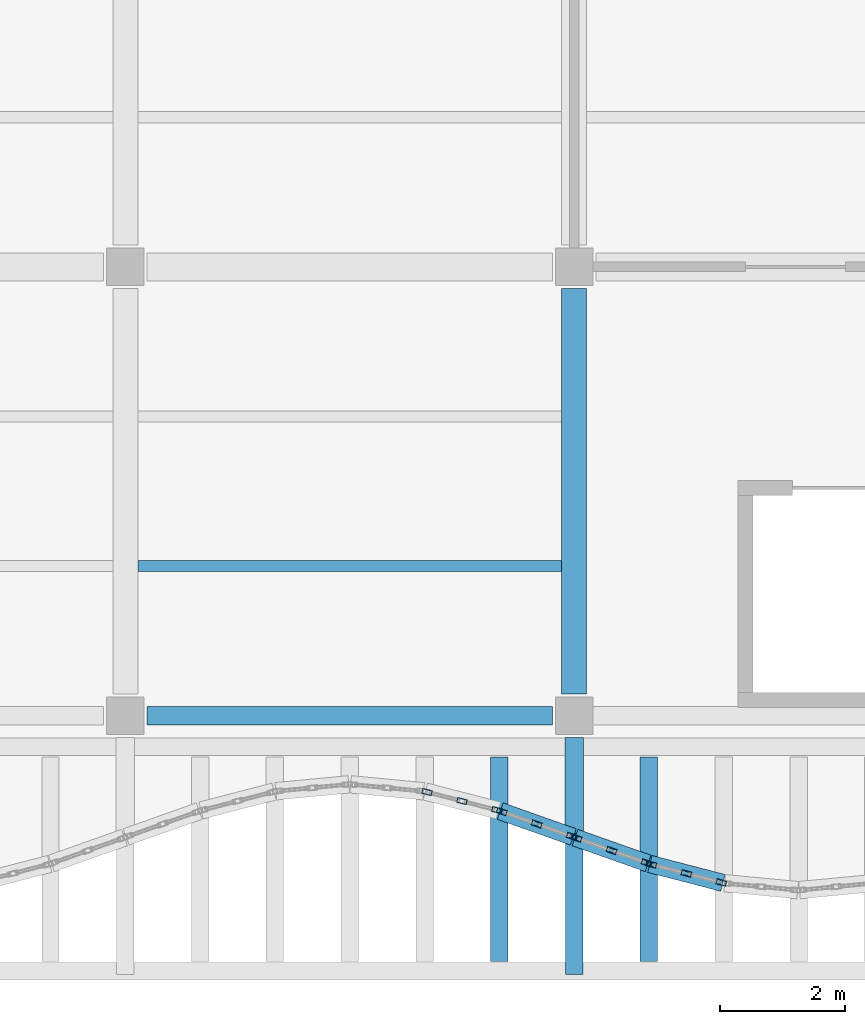
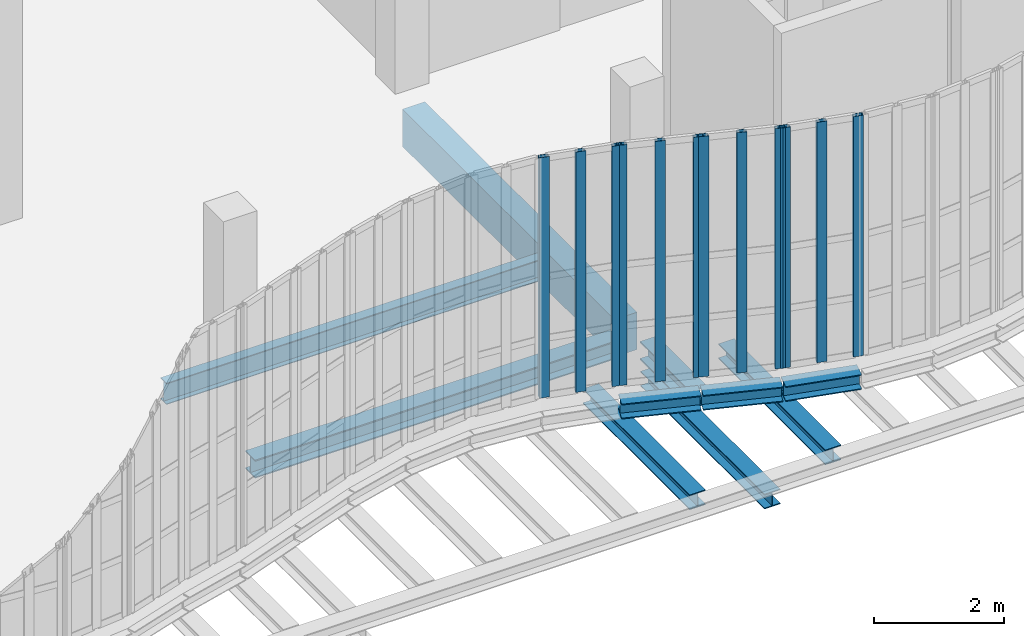
# One storey, part 30 of 105: 12 members, 10 beams, 4 elements without a shape of their own.
"""IFC4 building model written with IfcOpenShell, lengths in metres."""

from ifc_helpers import new_model, si_unit, direction, frame, origin, origin_2d, place, context, subcontext, project, spatial, rectangle, hollow_rectangle, i_section, extrude, material, layer, layer_set, material_profile, profile_set, type_object, element, aggregate, save


model = new_model("IFC4")

# Units and contexts
model_context = context("Model", 3, precision=1e-05, world=origin(), true_north=direction((0.0, 1.0)))
body_context = subcontext(model_context, "Body", "Model", "MODEL_VIEW")
ifc_project = project(units=[si_unit("LENGTHUNIT", "METRE"), si_unit("AREAUNIT", "SQUARE_METRE"), si_unit("VOLUMEUNIT", "CUBIC_METRE"), si_unit("PLANEANGLEUNIT", "RADIAN"), si_unit("MASSUNIT", "GRAM", prefix="KILO"), si_unit("THERMODYNAMICTEMPERATUREUNIT", "KELVIN"), si_unit("POWERUNIT", "WATT")], contexts=[model_context])

# Site, building, storey
site_placement = place(None, origin())
site = spatial("IfcSite", under=ifc_project, at=site_placement, CompositionType="ELEMENT")
building_placement = place(site_placement, origin())
building = spatial("IfcBuilding", under=site, at=building_placement, Name="Kaldorven Railside Theatre", CompositionType="ELEMENT")
storey_placement = place(building_placement, frame((0.0, 0.0, 9.89990234375)))
storey = spatial("IfcBuildingStorey", under=building, at=storey_placement, Name="L02", CompositionType="ELEMENT", Elevation=9.89990234375)

# Beams
ifc_material_1 = material(Name="Steel S355", Category="steel")
ifc_material_profile_1 = material_profile(ifc_material_1, i_section(OverallWidth=0.280029296875, OverallDepth=0.280029296875, WebThickness=0.010498046875, FlangeThickness=0.01806640625, at=origin_2d()), Name="HEB 280")
ifc_profile_set_1 = profile_set([ifc_material_profile_1], Name="Steel S355")
beam_type_1 = type_object("IfcBeamType", Name="BM-HEB280", PredefinedType="SPANDREL", material=ifc_profile_set_1)
beam_1_placement = place(storey_placement, frame((101.60009765625, 15.050048828125, -0.97998046875), z_axis=(0.0, 1.0, 0.0), x_axis=(-1.0, 0.0, 0.0)))
element("IfcBeam", 1, at=beam_1_placement, inside=storey, type_object=beam_type_1, Name="L02 Sinusoidal Lower Cantilever Girder FOB-K022", PredefinedType="SPANDREL", context=body_context, shape_type="SweptSolid", body=[
    extrude(i_section(OverallWidth=0.280029296875, OverallDepth=0.280029296875, WebThickness=0.010498046875, FlangeThickness=0.01806640625, at=origin_2d()), origin(), (0.0, 0.0, 1.0), 3.800048828125),
])
beam_2_placement = place(storey_placement, frame((100.4140625, 17.669921875, -0.419921875), z_axis=(0.942627225161, -0.333847142245, 0.0), x_axis=(0.333847142245, 0.942627225161, 0.0)))
element("IfcBeam", 2, at=beam_2_placement, inside=storey, type_object=beam_type_1, Name="L02 Sinusoidal Flute Edge Spandrel FSB-126", PredefinedType="SPANDREL", context=body_context, shape_type="SweptSolid", body=[
    extrude(i_section(OverallWidth=0.280029296875, OverallDepth=0.280029296875, WebThickness=0.010498046875, FlangeThickness=0.01806640625, at=origin_2d()), origin(), (0.0, 0.0, 1.0), 1.2431640625),
])
beam_3_placement = place(storey_placement, frame((100.39990234375, 15.260009765625, -0.699951171875), z_axis=(0.0, 1.0, 0.0), x_axis=(-1.0, 0.0, 0.0)))
element("IfcBeam", 3, at=beam_3_placement, inside=storey, type_object=beam_type_1, Name="L02 Sinusoidal Diaphragm Rib Outrigger FOB-M126", PredefinedType="SPANDREL", context=body_context, shape_type="SweptSolid", body=[
    extrude(i_section(OverallWidth=0.280029296875, OverallDepth=0.280029296875, WebThickness=0.010498046875, FlangeThickness=0.01806640625, at=origin_2d()), origin(), (0.0, 0.0, 1.0), 3.280029296875),
])
beam_4_placement = place(storey_placement, frame((101.614013671875, 17.2451171875, -0.419921875), z_axis=(0.942627225161, -0.333847142245, 0.0), x_axis=(0.333847142245, 0.942627225161, 0.0)))
element("IfcBeam", 4, at=beam_4_placement, inside=storey, type_object=beam_type_1, Name="L02 Sinusoidal Flute Edge Spandrel FSB-127", PredefinedType="SPANDREL", context=body_context, shape_type="SweptSolid", body=[
    extrude(i_section(OverallWidth=0.280029296875, OverallDepth=0.280029296875, WebThickness=0.010498046875, FlangeThickness=0.01806640625, at=origin_2d()), origin(), (0.0, 0.0, 1.0), 1.2431640625),
])
beam_5_placement = place(storey_placement, frame((102.814453125, 16.8212890625, -0.419921875), z_axis=(0.967980555895, -0.25102518481, 0.0), x_axis=(0.25102518481, 0.967980555895, 0.0)))
element("IfcBeam", 5, at=beam_5_placement, inside=storey, type_object=beam_type_1, Name="L02 Sinusoidal Flute Edge Spandrel FSB-128", PredefinedType="SPANDREL", context=body_context, shape_type="SweptSolid", body=[
    extrude(i_section(OverallWidth=0.280029296875, OverallDepth=0.280029296875, WebThickness=0.010498046875, FlangeThickness=0.01806640625, at=origin_2d()), origin(), (0.0, 0.0, 1.0), 1.2099609375),
])
beam_6_placement = place(storey_placement, frame((102.800048828125, 15.260009765625, -0.699951171875), z_axis=(0.0, 1.0, 0.0), x_axis=(-1.0, 0.0, 0.0)))
element("IfcBeam", 6, at=beam_6_placement, inside=storey, type_object=beam_type_1, Name="L02 Sinusoidal Diaphragm Rib Outrigger FOB-M128", PredefinedType="SPANDREL", context=body_context, shape_type="SweptSolid", body=[
    extrude(i_section(OverallWidth=0.280029296875, OverallDepth=0.280029296875, WebThickness=0.010498046875, FlangeThickness=0.01806640625, at=origin_2d()), origin(), (0.0, 0.0, 1.0), 3.280029296875),
])
ifc_material_profile_2 = material_profile(ifc_material_1, i_section(OverallWidth=0.300048828125, OverallDepth=0.340087890625, WebThickness=0.011962890625, FlangeThickness=0.021484375, at=origin_2d()), Name="HEB 340")
ifc_profile_set_2 = profile_set([ifc_material_profile_2], Name="Steel S355")
beam_type_2 = type_object("IfcBeamType", Name="BM-HEB340", PredefinedType="SPANDREL", material=ifc_profile_set_2)
beam_7_placement = place(storey_placement, frame((94.75, 19.199951171875, -0.449951171875), z_axis=(1.0, 0.0, 0.0), x_axis=(0.0, 1.0, 0.0)))
element("IfcBeam", 7, at=beam_7_placement, inside=storey, type_object=beam_type_2, Name="L02 Girder BGX-L02-094-019", PredefinedType="SPANDREL", context=body_context, shape_type="SweptSolid", body=[
    extrude(i_section(OverallWidth=0.300048828125, OverallDepth=0.340087890625, WebThickness=0.011962890625, FlangeThickness=0.021484375, at=origin_2d()), origin(), (0.0, 0.0, 1.0), 6.5),
])
beam_8_placement = place(storey_placement, frame((101.60009765625, 17.31005859375, -0.449951171875), z_axis=(0.0, 1.0, 0.0), x_axis=(-1.0, 0.0, 0.0)))
element("IfcBeam", 8, at=beam_8_placement, inside=storey, type_object=beam_type_2, Name="L02 Sinusoidal Veil Outrigger FOB-2101", PredefinedType="SPANDREL", context=body_context, shape_type="SweptSolid", body=[
    extrude(i_section(OverallWidth=0.300048828125, OverallDepth=0.340087890625, WebThickness=0.011962890625, FlangeThickness=0.021484375, at=origin_2d()), origin(), (0.0, 0.0, 1.0), 1.5400390625),
])
ifc_material_profile_3 = material_profile(ifc_material_1, i_section(OverallWidth=0.179931640625, OverallDepth=0.39990234375, WebThickness=0.008544921875, FlangeThickness=0.013427734375, at=origin_2d()), Name="IPE 400")
ifc_profile_set_3 = profile_set([ifc_material_profile_3], Name="Steel S355")
beam_type_3 = type_object("IfcBeamType", Name="BM-IPE400", PredefinedType="JOIST", material=ifc_profile_set_3)
beam_9_placement = place(storey_placement, frame((94.60009765625, 21.60009765625, -0.47998046875), z_axis=(1.0, 0.0, 0.0), x_axis=(0.0, 1.0, 0.0)))
element("IfcBeam", 9, at=beam_9_placement, inside=storey, type_object=beam_type_3, Name="L02 Secondary Floor Joist JG-L02-094-0216", PredefinedType="JOIST", context=body_context, shape_type="SweptSolid", body=[
    extrude(i_section(OverallWidth=0.179931640625, OverallDepth=0.39990234375, WebThickness=0.008544921875, FlangeThickness=0.013427734375, at=origin_2d()), origin(), (0.0, 0.0, 1.0), 6.7998046875),
])
ifc_material_2 = material(Name="Concrete C40/50", Category="concrete")
ifc_material_profile_4 = material_profile(ifc_material_2, rectangle(XDim=0.39990234375, YDim=0.699951171875, at=origin_2d()), Name="RC 400x700")
ifc_profile_set_4 = profile_set([ifc_material_profile_4], Name="Concrete C40/50")
beam_type_4 = type_object("IfcBeamType", Name="BM-RC400x700", PredefinedType="BEAM", material=ifc_profile_set_4)
beam_10_placement = place(storey_placement, frame((101.60009765625, 19.550048828125, -0.6298828125), z_axis=(0.0, 1.0, 0.0), x_axis=(-1.0, 0.0, 0.0)))
element("IfcBeam", 10, at=beam_10_placement, inside=storey, type_object=beam_type_4, Name="L02 Girder BGY-L02-101-019-72", PredefinedType="BEAM", context=body_context, shape_type="SweptSolid", body=[
    extrude(rectangle(XDim=0.39990234375, YDim=0.699951171875, at=origin_2d()), origin(), (0.0, 0.0, 1.0), 6.5),
])

# Curtain wall, members
ifc_material_3 = material(Name="Low-E laminated solar-control glass", Category="glass")
ifc_layer_1 = layer(ifc_material_3, 0.159912109375, Name="Low-E laminated solar-control glass")
ifc_layer_set_1 = layer_set([ifc_layer_1], Name="Low-E laminated solar-control glass")
curtain_wall_type_1 = type_object("IfcCurtainWallType", Name="CWT-02", PredefinedType="USERDEFINED", material=ifc_layer_set_1)
curtain_wall_1_placement = place(storey_placement, origin())
curtain_wall_1 = element("IfcCurtainWall", 11, at=curtain_wall_1_placement, inside=storey, type_object=curtain_wall_type_1, Name="Sinusoidal Fluted Curtain Wall CW-L02-S53", ObjectType="FLUTED GLAZING", PredefinedType="USERDEFINED")
ifc_material_4 = material(Name="Anodised bronze aluminium", Category="aluminium")
ifc_material_profile_5 = material_profile(ifc_material_4, hollow_rectangle(XDim=0.080078125, YDim=0.159912109375, WallThickness=0.00634765625, at=origin_2d()), Name="RHS 160x80x6.3")
ifc_profile_set_5 = profile_set([ifc_material_profile_5], Name="Anodised bronze aluminium")
member_type = type_object("IfcMemberType", Name="CWM-160", PredefinedType="MULLION", material=ifc_profile_set_5)
member_1_placement = place(storey_placement, frame((99.23876953125, 17.97607421875, 0.0), z_axis=(0.0, 0.0, 1.0), x_axis=(0.250953760326, 0.967999075505, 0.0)))
member_1 = element("IfcMember", 12, at=member_1_placement, type_object=member_type, Name="CW-L02-S53 mullion 1", PredefinedType="MULLION", context=body_context, shape_type="SweptSolid", body=[
    extrude(hollow_rectangle(XDim=0.080078125, YDim=0.159912109375, WallThickness=0.00634765625, at=origin_2d()), origin(), (0.0, 0.0, 1.0), 4.5),
])
member_2_placement = place(storey_placement, frame((99.800048828125, 17.83056640625, 0.0), z_axis=(0.0, 0.0, 1.0), x_axis=(0.250953760326, 0.967999075505, 0.0)))
member_2 = element("IfcMember", 13, at=member_2_placement, type_object=member_type, Name="CW-L02-S53 mullion 2", PredefinedType="MULLION", context=body_context, shape_type="SweptSolid", body=[
    extrude(hollow_rectangle(XDim=0.080078125, YDim=0.159912109375, WallThickness=0.00634765625, at=origin_2d()), origin(), (0.0, 0.0, 1.0), 4.5),
])
member_3_placement = place(storey_placement, frame((100.361328125, 17.68505859375, 0.0), z_axis=(0.0, 0.0, 1.0), x_axis=(0.250953760326, 0.967999075505, 0.0)))
member_3 = element("IfcMember", 14, at=member_3_placement, type_object=member_type, Name="CW-L02-S53 mullion 3", PredefinedType="MULLION", context=body_context, shape_type="SweptSolid", body=[
    extrude(hollow_rectangle(XDim=0.080078125, YDim=0.159912109375, WallThickness=0.00634765625, at=origin_2d()), origin(), (0.0, 0.0, 1.0), 4.5),
])
aggregate(curtain_wall_1, [member_1, member_2, member_3])

ifc_layer_2 = layer(ifc_material_3, 0.159912109375, Name="Low-E laminated solar-control glass")
ifc_layer_set_2 = layer_set([ifc_layer_2], Name="Low-E laminated solar-control glass")
curtain_wall_type_2 = type_object("IfcCurtainWallType", Name="CWT-01", PredefinedType="USERDEFINED", material=ifc_layer_set_2)
curtain_wall_2_placement = place(storey_placement, origin())
curtain_wall_2 = element("IfcCurtainWall", 15, at=curtain_wall_2_placement, inside=storey, type_object=curtain_wall_type_2, Name="Sinusoidal Fluted Curtain Wall CW-L02-S54", ObjectType="FLUTED GLAZING", PredefinedType="USERDEFINED")
member_4_placement = place(storey_placement, frame((100.437744140625, 17.66162109375, 0.0), z_axis=(0.0, 0.0, 1.0), x_axis=(0.33384714225, 0.942627225159, 0.0)))
member_4 = element("IfcMember", 16, at=member_4_placement, type_object=member_type, Name="CW-L02-S54 mullion 1", PredefinedType="MULLION", context=body_context, shape_type="SweptSolid", body=[
    extrude(hollow_rectangle(XDim=0.080078125, YDim=0.159912109375, WallThickness=0.00634765625, at=origin_2d()), origin(), (0.0, 0.0, 1.0), 4.5),
])
member_5_placement = place(storey_placement, frame((101.0, 17.46240234375, 0.0), z_axis=(0.0, 0.0, 1.0), x_axis=(0.33384714225, 0.942627225159, 0.0)))
member_5 = element("IfcMember", 17, at=member_5_placement, type_object=member_type, Name="CW-L02-S54 mullion 2", PredefinedType="MULLION", context=body_context, shape_type="SweptSolid", body=[
    extrude(hollow_rectangle(XDim=0.080078125, YDim=0.159912109375, WallThickness=0.00634765625, at=origin_2d()), origin(), (0.0, 0.0, 1.0), 4.5),
])
member_6_placement = place(storey_placement, frame((101.562255859375, 17.263427734375, 0.0), z_axis=(0.0, 0.0, 1.0), x_axis=(0.33384714225, 0.942627225159, 0.0)))
member_6 = element("IfcMember", 18, at=member_6_placement, type_object=member_type, Name="CW-L02-S54 mullion 3", PredefinedType="MULLION", context=body_context, shape_type="SweptSolid", body=[
    extrude(hollow_rectangle(XDim=0.080078125, YDim=0.159912109375, WallThickness=0.00634765625, at=origin_2d()), origin(), (0.0, 0.0, 1.0), 4.5),
])
aggregate(curtain_wall_2, [member_4, member_5, member_6])

curtain_wall_3_placement = place(storey_placement, origin())
curtain_wall_3 = element("IfcCurtainWall", 19, at=curtain_wall_3_placement, inside=storey, type_object=curtain_wall_type_2, Name="Sinusoidal Fluted Curtain Wall CW-L02-S55", ObjectType="FLUTED GLAZING", PredefinedType="USERDEFINED")
member_7_placement = place(storey_placement, frame((101.6376953125, 17.236572265625, 0.0), z_axis=(0.0, 0.0, 1.0), x_axis=(0.33384714225, 0.942627225159, 0.0)))
member_7 = element("IfcMember", 20, at=member_7_placement, type_object=member_type, Name="CW-L02-S55 mullion 1", PredefinedType="MULLION", context=body_context, shape_type="SweptSolid", body=[
    extrude(hollow_rectangle(XDim=0.080078125, YDim=0.159912109375, WallThickness=0.00634765625, at=origin_2d()), origin(), (0.0, 0.0, 1.0), 4.5),
])
member_8_placement = place(storey_placement, frame((102.199951171875, 17.03759765625, 0.0), z_axis=(0.0, 0.0, 1.0), x_axis=(0.33384714225, 0.942627225159, 0.0)))
member_8 = element("IfcMember", 21, at=member_8_placement, type_object=member_type, Name="CW-L02-S55 mullion 2", PredefinedType="MULLION", context=body_context, shape_type="SweptSolid", body=[
    extrude(hollow_rectangle(XDim=0.080078125, YDim=0.159912109375, WallThickness=0.00634765625, at=origin_2d()), origin(), (0.0, 0.0, 1.0), 4.5),
])
member_9_placement = place(storey_placement, frame((102.76220703125, 16.83837890625, 0.0), z_axis=(0.0, 0.0, 1.0), x_axis=(0.33384714225, 0.942627225159, 0.0)))
member_9 = element("IfcMember", 22, at=member_9_placement, type_object=member_type, Name="CW-L02-S55 mullion 3", PredefinedType="MULLION", context=body_context, shape_type="SweptSolid", body=[
    extrude(hollow_rectangle(XDim=0.080078125, YDim=0.159912109375, WallThickness=0.00634765625, at=origin_2d()), origin(), (0.0, 0.0, 1.0), 4.5),
])
aggregate(curtain_wall_3, [member_7, member_8, member_9])

curtain_wall_4_placement = place(storey_placement, origin())
curtain_wall_4 = element("IfcCurtainWall", 23, at=curtain_wall_4_placement, inside=storey, type_object=curtain_wall_type_1, Name="Sinusoidal Fluted Curtain Wall CW-L02-S56", ObjectType="FLUTED GLAZING", PredefinedType="USERDEFINED")
member_10_placement = place(storey_placement, frame((102.838623046875, 16.81494140625, 0.0), z_axis=(0.0, 0.0, 1.0), x_axis=(0.250953760326, 0.967999075505, 0.0)))
member_10 = element("IfcMember", 24, at=member_10_placement, type_object=member_type, Name="CW-L02-S56 mullion 1", PredefinedType="MULLION", context=body_context, shape_type="SweptSolid", body=[
    extrude(hollow_rectangle(XDim=0.080078125, YDim=0.159912109375, WallThickness=0.00634765625, at=origin_2d()), origin(), (0.0, 0.0, 1.0), 4.5),
])
member_11_placement = place(storey_placement, frame((103.39990234375, 16.66943359375, 0.0), z_axis=(0.0, 0.0, 1.0), x_axis=(0.250953760326, 0.967999075505, 0.0)))
member_11 = element("IfcMember", 25, at=member_11_placement, type_object=member_type, Name="CW-L02-S56 mullion 2", PredefinedType="MULLION", context=body_context, shape_type="SweptSolid", body=[
    extrude(hollow_rectangle(XDim=0.080078125, YDim=0.159912109375, WallThickness=0.00634765625, at=origin_2d()), origin(), (0.0, 0.0, 1.0), 4.5),
])
member_12_placement = place(storey_placement, frame((103.961181640625, 16.52392578125, 0.0), z_axis=(0.0, 0.0, 1.0), x_axis=(0.250953760326, 0.967999075505, 0.0)))
member_12 = element("IfcMember", 26, at=member_12_placement, type_object=member_type, Name="CW-L02-S56 mullion 3", PredefinedType="MULLION", context=body_context, shape_type="SweptSolid", body=[
    extrude(hollow_rectangle(XDim=0.080078125, YDim=0.159912109375, WallThickness=0.00634765625, at=origin_2d()), origin(), (0.0, 0.0, 1.0), 4.5),
])
aggregate(curtain_wall_4, [member_10, member_11, member_12])

save(model, "model.ifc")
